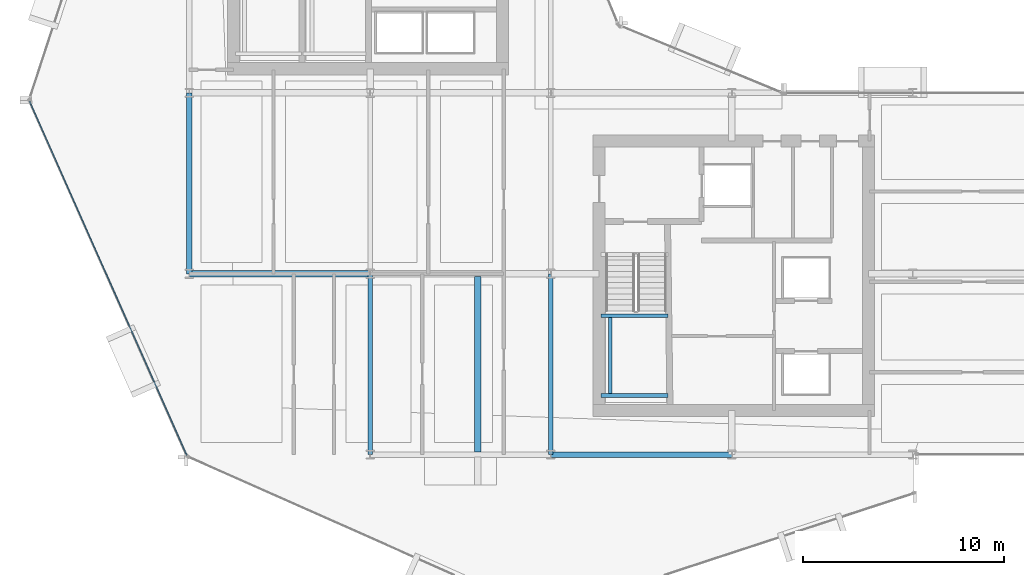
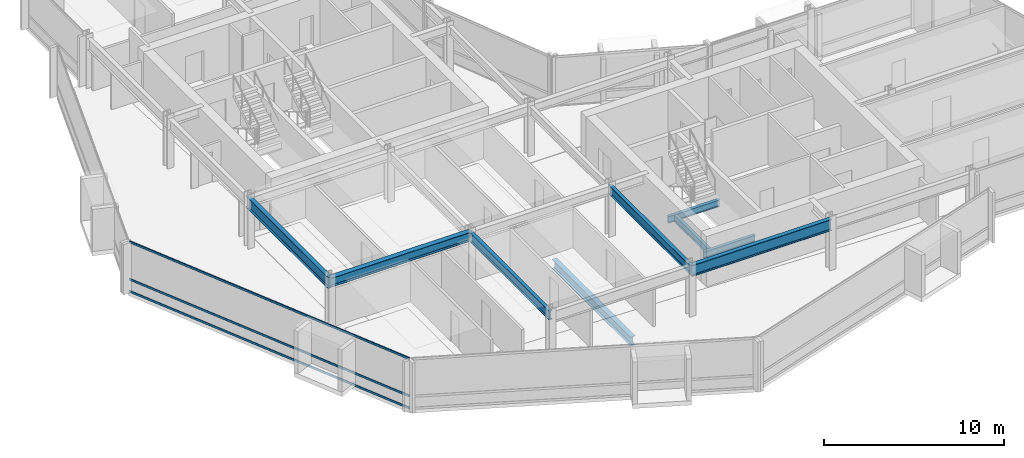
# One storey, part 5 of 29: 9 beams, 3 members, 1 element without a shape of its own.
"""IFC4 building model written with IfcOpenShell, lengths in metres."""

from ifc_helpers import new_model, si_unit, direction, frame, origin, origin_2d, place, context, subcontext, project, spatial, hollow_rectangle, i_section, extrude, material, layer, layer_set, material_profile, profile_set, type_object, element, aggregate, save


model = new_model("IFC4")

# Units and contexts
model_context = context("Model", 3, precision=1e-05, world=origin(), true_north=direction((0.0, 1.0)))
body_context = subcontext(model_context, "Body", "Model", "MODEL_VIEW")
ifc_project = project(units=[si_unit("LENGTHUNIT", "METRE"), si_unit("AREAUNIT", "SQUARE_METRE"), si_unit("VOLUMEUNIT", "CUBIC_METRE"), si_unit("PLANEANGLEUNIT", "RADIAN"), si_unit("MASSUNIT", "GRAM", prefix="KILO")], contexts=[model_context])

# Site, building, storey
site_placement = place(None, origin())
site = spatial("IfcSite", under=ifc_project, at=site_placement, CompositionType="ELEMENT")
building_placement = place(site_placement, origin())
building = spatial("IfcBuilding", under=site, at=building_placement, Name="Solvaryn Broadcast Tower", CompositionType="ELEMENT")
storey_placement = place(building_placement, frame((0.0, 0.0, 124.800048828125)))
storey = spatial("IfcBuildingStorey", under=building, at=storey_placement, Name="L30", CompositionType="ELEMENT", Elevation=124.800048828125)

# Beams
ifc_material_1 = material(Name="Steel ASTM A992 Grade 50", Category="steel")
ifc_material_profile_1 = material_profile(ifc_material_1, i_section(OverallWidth=0.323974609375, OverallDepth=0.611083984375, WebThickness=0.0126953125, FlangeThickness=0.01904296875, FilletRadius=0.014892578125, at=origin_2d()))
ifc_profile_set_1 = profile_set([ifc_material_profile_1], Name="Steel ASTM A992 Grade 50")
beam_type_1 = type_object("IfcBeamType", Name="BM-B1-W24X104", PredefinedType="BEAM", material=ifc_profile_set_1)
beam_1_placement = place(storey_placement, frame((23.35009765625, 17.875, -0.58544921875), z_axis=(0.0, -1.0, 0.0), x_axis=(1.0, 0.0, 0.0)))
element("IfcBeam", 1, at=beam_1_placement, inside=storey, type_object=beam_type_1, Name="L30 Bay-Box Back-Span Beam 1", PredefinedType="BEAM", context=body_context, shape_type="SweptSolid", body=[
    extrude(i_section(OverallWidth=0.323974609375, OverallDepth=0.611083984375, WebThickness=0.0126953125, FlangeThickness=0.01904296875, FilletRadius=0.014892578125, at=origin_2d()), origin(), (0.0, 0.0, 1.0), 8.75),
])
beam_2_placement = place(storey_placement, frame((9.0, 18.0, 3.114501953125), z_axis=(1.0, 0.0, 0.0), x_axis=(0.0, 1.0, 0.0)))
element("IfcBeam", 2, at=beam_2_placement, inside=storey, type_object=beam_type_1, Name="L30 Primary Beam X (9-18 @ Y=18)", PredefinedType="BEAM", context=body_context, shape_type="SweptSolid", body=[
    extrude(i_section(OverallWidth=0.323974609375, OverallDepth=0.611083984375, WebThickness=0.0126953125, FlangeThickness=0.01904296875, FilletRadius=0.014892578125, at=origin_2d()), origin(), (0.0, 0.0, 1.0), 9.0),
])
ifc_material_2 = material(Name="Steel ASTM A992 Grade 50", Category="steel")
ifc_material_profile_2 = material_profile(ifc_material_2, i_section(OverallWidth=0.22802734375, OverallDepth=0.60791015625, WebThickness=0.01123046875, FlangeThickness=0.017333984375, FilletRadius=0.014892578125, at=origin_2d()))
ifc_profile_set_2 = profile_set([ifc_material_profile_2], Name="Steel ASTM A992 Grade 50")
beam_type_2 = type_object("IfcBeamType", Name="BM-B2-W24X76", PredefinedType="BEAM", material=ifc_profile_set_2)
for number, where, z_axis, x_axis, name in (
    (3, (18.0, 9.0, 3.115966796875), (0.0, 1.0, 0.0), (-1.0, 0.0, 0.0), "L30 Primary Beam Y (9-18 @ X=18)"),
    (4, (27.0, 9.0, 3.115966796875), (0.0, 1.0, 0.0), (-1.0, 0.0, 0.0), "L30 Primary Beam Y (9-18 @ X=27)"),
):
    element("IfcBeam", number, at=place(storey_placement, frame(where, z_axis=z_axis, x_axis=x_axis)), inside=storey, type_object=beam_type_2, Name=name, PredefinedType="BEAM", context=body_context, shape_type="SweptSolid", body=[
        extrude(i_section(OverallWidth=0.22802734375, OverallDepth=0.60791015625, WebThickness=0.01123046875, FlangeThickness=0.017333984375, FilletRadius=0.014892578125, at=origin_2d()), origin(), (0.0, 0.0, 1.0), 9.0),
    ])
ifc_material_3 = material(Name="Steel ASTM A992 Grade 50", Category="steel")
ifc_material_profile_3 = material_profile(ifc_material_3, i_section(OverallWidth=0.18994140625, OverallDepth=0.45703125, WebThickness=0.009033203125, FlangeThickness=0.014404296875, FilletRadius=0.011962890625, at=origin_2d()))
ifc_profile_set_3 = profile_set([ifc_material_profile_3], Name="Steel ASTM A992 Grade 50")
beam_type_3 = type_object("IfcBeamType", Name="BM-B4-W18X50", PredefinedType="BEAM", material=ifc_profile_set_3)
for number, where, z_axis, x_axis, name in (
    (5, (29.5, 11.949951171875, 1.42138671875), (1.0, 0.0, 0.0), (0.0, 1.0, 0.0), "L30 ST3 Landing Support Beam 1A"),
    (6, (29.5, 15.909912109375, 1.42138671875), (1.0, 0.0, 0.0), (0.0, 1.0, 0.0), "L30 ST3 Landing Support Beam 1B"),
):
    element("IfcBeam", number, at=place(storey_placement, frame(where, z_axis=z_axis, x_axis=x_axis)), inside=storey, type_object=beam_type_3, Name=name, PredefinedType="BEAM", context=body_context, shape_type="SweptSolid", body=[
        extrude(i_section(OverallWidth=0.18994140625, OverallDepth=0.45703125, WebThickness=0.009033203125, FlangeThickness=0.014404296875, FilletRadius=0.011962890625, at=origin_2d()), origin(), (0.0, 0.0, 1.0), 3.320068359375),
    ])
beam_3_placement = place(storey_placement, frame((29.949951171875, 11.949951171875, 1.42138671875), z_axis=(0.0, 1.0, 0.0), x_axis=(-1.0, 0.0, 0.0)))
element("IfcBeam", 7, at=beam_3_placement, inside=storey, type_object=beam_type_3, Name="L30 ST3 Landing Cross Stringer 1C", PredefinedType="BEAM", context=body_context, shape_type="SweptSolid", body=[
    extrude(i_section(OverallWidth=0.18994140625, OverallDepth=0.45703125, WebThickness=0.009033203125, FlangeThickness=0.014404296875, FilletRadius=0.011962890625, at=origin_2d()), origin(), (0.0, 0.0, 1.0), 3.9599609375),
])
ifc_material_4 = material(Name="Steel ASTM A992 Grade 50", Category="steel")
ifc_material_profile_4 = material_profile(ifc_material_4, i_section(OverallWidth=0.26708984375, OverallDepth=0.76611328125, WebThickness=0.014892578125, FlangeThickness=0.023681640625, FilletRadius=0.01806640625, at=origin_2d()))
ifc_profile_set_4 = profile_set([ifc_material_profile_4], Name="Steel ASTM A992 Grade 50")
beam_type_4 = type_object("IfcBeamType", Name="BM-SP2-W30X124", PredefinedType="USERDEFINED", material=ifc_profile_set_4)
for number, where, z_axis, x_axis, name in (
    (8, (27.0, 9.0, 3.036865234375), (1.0, 0.0, 0.0), (0.0, 1.0, 0.0), "L30 Spandrel Beam X (27-36 @ Y=9)"),
    (9, (9.0, 18.0, 3.036865234375), (0.0, 1.0, 0.0), (-1.0, 0.0, 0.0), "L30 Spandrel Beam Y (18-27 @ X=9)"),
):
    element("IfcBeam", number, at=place(storey_placement, frame(where, z_axis=z_axis, x_axis=x_axis)), inside=storey, type_object=beam_type_4, Name=name, ObjectType="SPANDREL", PredefinedType="USERDEFINED", context=body_context, shape_type="SweptSolid", body=[
        extrude(i_section(OverallWidth=0.26708984375, OverallDepth=0.76611328125, WebThickness=0.014892578125, FlangeThickness=0.023681640625, FilletRadius=0.01806640625, at=origin_2d()), origin(), (0.0, 0.0, 1.0), 9.0),
    ])

# Curtain wall, members
ifc_material_5 = material(Name="Aluminium and Terracotta Unitised Curtain Wall", Category="masonry")
ifc_layer = layer(ifc_material_5, 0.199951171875)
ifc_layer_set = layer_set([ifc_layer], Name="CW-SYS2-LOWMID")
curtain_wall_type = type_object("IfcCurtainWallType", Name="CW-SYS2-LOWMID", PredefinedType="NOTDEFINED", material=ifc_layer_set)
curtain_wall_placement = place(storey_placement, origin())
curtain_wall = element("IfcCurtainWall", 10, at=curtain_wall_placement, inside=storey, type_object=curtain_wall_type, Name="L30 Curtain Wall DR2", PredefinedType="NOTDEFINED")
ifc_material_6 = material(Name="Anodised Aluminium 6063-T6", Category="aluminium")
ifc_material_profile_5 = material_profile(ifc_material_6, hollow_rectangle(XDim=0.06494140625, YDim=0.14990234375, WallThickness=0.00390625, InnerFilletRadius=0.00390625, OuterFilletRadius=0.008056640625, at=origin_2d()))
ifc_profile_set_5 = profile_set([ifc_material_profile_5], Name="Anodised Aluminium 6063-T6")
member_type = type_object("IfcMemberType", Name="CW-TRN-150", PredefinedType="USERDEFINED", material=ifc_profile_set_5)
member_1_placement = place(storey_placement, frame((1.058349609375, 26.5810546875, 0.030029296875), z_axis=(0.405917546252, -0.913909703223, 0.0), x_axis=(0.913909703223, 0.405917546252, 0.0)))
member_1 = element("IfcMember", 11, at=member_1_placement, type_object=member_type, Name="CWS2 transom 1.1", ObjectType="TRANSOM", PredefinedType="USERDEFINED", context=body_context, shape_type="SweptSolid", body=[
    extrude(hollow_rectangle(XDim=0.06494140625, YDim=0.14990234375, WallThickness=0.00390625, InnerFilletRadius=0.00390625, OuterFilletRadius=0.008056640625, at=origin_2d()), origin(), (0.0, 0.0, 1.0), 19.27783203125),
])
member_2_placement = place(storey_placement, frame((1.058349609375, 26.5810546875, 0.849853515625), z_axis=(0.405917546252, -0.913909703223, 0.0), x_axis=(0.913909703223, 0.405917546252, 0.0)))
member_2 = element("IfcMember", 12, at=member_2_placement, type_object=member_type, Name="CWS2 transom 1.2", ObjectType="TRANSOM", PredefinedType="USERDEFINED", context=body_context, shape_type="SweptSolid", body=[
    extrude(hollow_rectangle(XDim=0.06494140625, YDim=0.14990234375, WallThickness=0.00390625, InnerFilletRadius=0.00390625, OuterFilletRadius=0.008056640625, at=origin_2d()), origin(), (0.0, 0.0, 1.0), 19.27783203125),
])
member_3_placement = place(storey_placement, frame((1.058349609375, 26.5810546875, 3.389892578125), z_axis=(0.405917546252, -0.913909703223, 0.0), x_axis=(0.913909703223, 0.405917546252, 0.0)))
member_3 = element("IfcMember", 13, at=member_3_placement, type_object=member_type, Name="CWS2 transom 1.3", ObjectType="TRANSOM", PredefinedType="USERDEFINED", context=body_context, shape_type="SweptSolid", body=[
    extrude(hollow_rectangle(XDim=0.06494140625, YDim=0.14990234375, WallThickness=0.00390625, InnerFilletRadius=0.00390625, OuterFilletRadius=0.008056640625, at=origin_2d()), origin(), (0.0, 0.0, 1.0), 19.27783203125),
])
aggregate(curtain_wall, [member_1, member_2, member_3])

save(model, "model.ifc")
